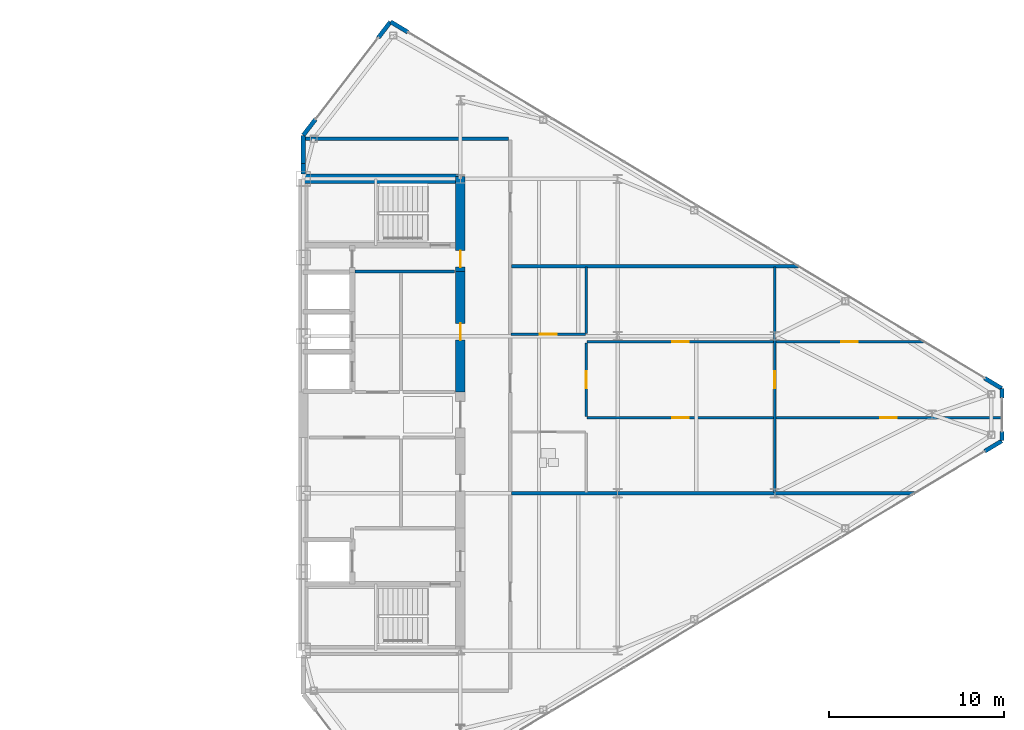
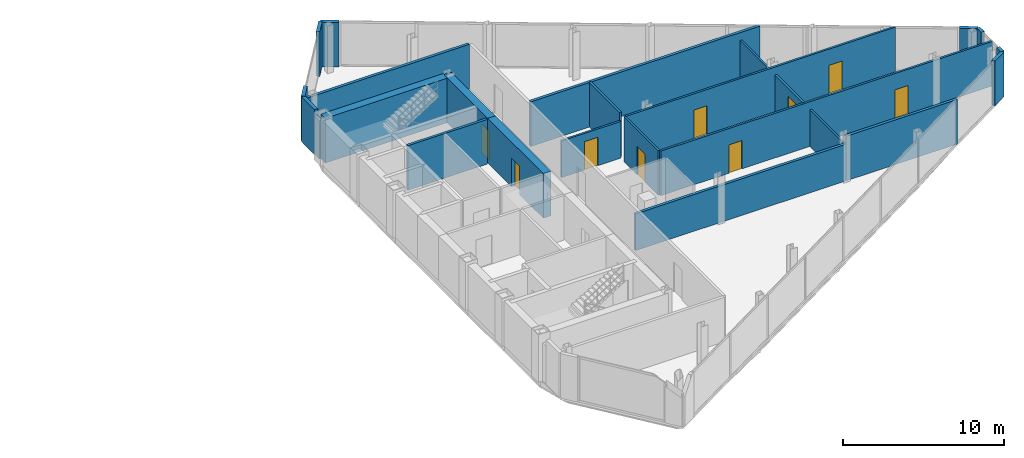
# One storey, part 22 of 25: 23 walls, 9 doors, 9 openings.
"""IFC4 building model written with IfcOpenShell, lengths in metres."""

import ifcopenshell
import ifcopenshell.guid

model = None  # the IFC model being written
_history = None  # IfcOwnerHistory: only IFC2X3 demands one
_inside = {}  # id of a spatial element -> (the spatial element, [elements in it])
_under = {}  # id of a project, library or spatial element -> (it, [spatial elements below it])
_declared = {}  # id of a project -> (the project, [libraries it declares])
_typed = {}  # id of a type object -> (the type object, [elements of that type])
_made_of = {}  # id of a material, layer set ... -> (it, [elements and type objects made of it])


def new_model(schema):
    """Start an empty IFC model of exactly this schema.

    Asked for "IFC4X3", IfcOpenShell would pick the latest addendum, in which some entities
    have other attributes; the version numbers below select the first issue.
    IFC2X3 requires an IfcOwnerHistory on every rooted entity: one is made here for all.
    """
    global model, _history
    if schema == "IFC4X3":
        model = ifcopenshell.file(schema_version=(4, 3, 0, 0))
    else:
        model = ifcopenshell.file(schema=schema)
    _inside.clear()
    _under.clear()
    _declared.clear()
    _typed.clear()
    _made_of.clear()
    _history = None
    if model.schema == "IFC2X3":
        org = make("IfcOrganization", Name="unknown")
        user = make(
            "IfcPersonAndOrganization",
            ThePerson=make("IfcPerson", FamilyName="unknown"),
            TheOrganization=org,
        )
        app = make(
            "IfcApplication",
            ApplicationDeveloper=org,
            Version="unknown",
            ApplicationFullName="unknown",
            ApplicationIdentifier="unknown",
        )
        _history = make(
            "IfcOwnerHistory",
            OwningUser=user,
            OwningApplication=app,
            ChangeAction="ADDED",
            CreationDate=0,
        )
    return model


def make(cls, **values):
    """One entity of the class cls with the attributes given. An attribute that is None is left unset."""
    return model.create_entity(
        cls, **{name: value for name, value in values.items() if value is not None}
    )


def rooted(cls, **values):
    """An entity with a GlobalId (a new one), such as an element, a storey or a relation."""
    return make(cls, GlobalId=ifcopenshell.guid.new(), OwnerHistory=_history, **values)


def si_unit(unit_type, name, prefix=None):
    """IfcSIUnit, for example si_unit("LENGTHUNIT", "METRE", prefix="MILLI")."""
    return make("IfcSIUnit", UnitType=unit_type, Prefix=prefix, Name=name)


def assignment(units):
    """IfcUnitAssignment: the units of a project."""
    return None if units is None else make("IfcUnitAssignment", Units=units)


def point(xyz):
    """IfcCartesianPoint."""
    return None if xyz is None else make("IfcCartesianPoint", Coordinates=xyz)


def direction(xyz):
    """IfcDirection."""
    return None if xyz is None else make("IfcDirection", DirectionRatios=xyz)


def frame(location, z_axis=None, x_axis=None):
    """IfcAxis2Placement3D, a coordinate frame: its origin and axes. An axis left out is left unset."""
    return make(
        "IfcAxis2Placement3D",
        Location=point(location),
        Axis=direction(z_axis),
        RefDirection=direction(x_axis),
    )


def frame_2d(location, x_axis=None):
    """IfcAxis2Placement2D, a coordinate frame in the plane: its origin and x axis."""
    return make(
        "IfcAxis2Placement2D", Location=point(location), RefDirection=direction(x_axis)
    )


def origin():
    """The frame at (0, 0, 0) with its axes left unset."""
    return frame((0.0, 0.0, 0.0))


def place(relative_to, where):
    """IfcLocalPlacement: puts the frame where relative to a parent placement (None: the world)."""
    return make(
        "IfcLocalPlacement", PlacementRelTo=relative_to, RelativePlacement=where
    )


def context(
    kind, dimensions, precision=None, world=None, true_north=None, identifier=None
):
    """IfcGeometricRepresentationContext, for example the 3D "Model" context."""
    return make(
        "IfcGeometricRepresentationContext",
        ContextIdentifier=identifier,
        ContextType=kind,
        CoordinateSpaceDimension=dimensions,
        Precision=precision,
        WorldCoordinateSystem=world,
        TrueNorth=true_north,
    )


def subcontext(parent, identifier, kind, view, scale=None):
    """IfcGeometricRepresentationSubContext, for example "Body" below "Model"."""
    return make(
        "IfcGeometricRepresentationSubContext",
        ContextIdentifier=identifier,
        ContextType=kind,
        ParentContext=parent,
        TargetScale=scale,
        TargetView=view,
    )


def project(units=None, contexts=None):
    """IfcProject with its units and contexts."""
    return rooted(
        "IfcProject",
        Name="project",
        RepresentationContexts=contexts,
        UnitsInContext=assignment(units),
    )


def spatial(cls, under=None, at=None, **own):
    """A site, building, storey or space (cls), placed at a placement, below another one or the project."""
    s = rooted(cls, ObjectPlacement=at, **own)
    if under is not None:
        _under.setdefault(under.id(), (under, []))[1].append(s)
    return s


def profile(cls, at=None, kind="AREA", **sizes):
    """A parametric profile (cls). Its sizes go by their IFC names, for example OverallWidth=200.0."""
    return make(cls, ProfileType=kind, Position=at, **sizes)


def rectangle(**sizes):
    """IfcRectangleProfileDef."""
    return profile("IfcRectangleProfileDef", **sizes)


def extrude(swept, where, along, depth):
    """IfcExtrudedAreaSolid: the profile swept, set in the frame where, extruded along a direction by depth."""
    return make(
        "IfcExtrudedAreaSolid",
        SweptArea=swept,
        Position=where,
        ExtrudedDirection=direction(along),
        Depth=depth,
    )


def shape(context_of_items, identifier, shape_type, items):
    """IfcShapeRepresentation: the items that make up one representation, for example the "Body"."""
    return make(
        "IfcShapeRepresentation",
        ContextOfItems=context_of_items,
        RepresentationIdentifier=identifier,
        RepresentationType=shape_type,
        Items=items,
    )


def source(mapping_origin, context_of_items, identifier, shape_type, items):
    """IfcRepresentationMap: a shape defined once, which mapped items show again and again."""
    return make(
        "IfcRepresentationMap",
        MappingOrigin=mapping_origin,
        MappedRepresentation=shape(context_of_items, identifier, shape_type, items),
    )


def transform(
    local_origin,
    x_axis=None,
    y_axis=None,
    z_axis=None,
    scale=None,
    scale2=None,
    scale3=None,
    uniform=True,
):
    """IfcCartesianTransformationOperator3D, or its non-uniform kind. x_axis, y_axis, z_axis: its Axis1, 2, 3."""
    if uniform:
        return make(
            "IfcCartesianTransformationOperator3D",
            Axis1=direction(x_axis),
            Axis2=direction(y_axis),
            LocalOrigin=point(local_origin),
            Scale=scale,
            Axis3=direction(z_axis),
        )
    return make(
        "IfcCartesianTransformationOperator3DnonUniform",
        Axis1=direction(x_axis),
        Axis2=direction(y_axis),
        LocalOrigin=point(local_origin),
        Scale=scale,
        Axis3=direction(z_axis),
        Scale2=scale2,
        Scale3=scale3,
    )


def mapped(mapping_source, mapping_target):
    """IfcMappedItem: shows the shape of a source again, moved by a transform."""
    return make(
        "IfcMappedItem", MappingSource=mapping_source, MappingTarget=mapping_target
    )


def material(Name=None, Category=None):
    """IfcMaterial."""
    return make("IfcMaterial", Name=Name, Category=Category)


def layer(
    of_material, thickness, ventilated=None, Name=None, Category=None, Priority=None
):
    """IfcMaterialLayer: one layer of a wall or slab, of a material (None: an air gap)."""
    return make(
        "IfcMaterialLayer",
        Material=of_material,
        LayerThickness=thickness,
        IsVentilated=ventilated,
        Name=Name,
        Category=Category,
        Priority=Priority,
    )


def layer_set(layers, Name=None):
    """IfcMaterialLayerSet."""
    return make("IfcMaterialLayerSet", MaterialLayers=layers, LayerSetName=Name)


def made_of(thing, what):
    """Note that an element or type object is made of a material, layer set ...; save() writes the relation."""
    if what is not None:
        _made_of.setdefault(what.id(), (what, []))[1].append(thing)
    return thing


def type_object(cls, material=None, **own):
    """A type object (cls), such as IfcWallType, which elements share."""
    return made_of(rooted(cls, **own), material)


def type_shapes(of_type, sources):
    """Give a type object the sources (RepresentationMaps) that its elements show as mapped items."""
    of_type.RepresentationMaps = sources


def element(
    cls,
    number,
    at=None,
    inside=None,
    cuts=None,
    type_object=None,
    material=None,
    context=None,
    identifier="Body",
    shape_type=None,
    held_by="IfcProductDefinitionShape",
    body=None,
    shapes=None,
    **own,
):
    """One element of the class cls, such as IfcWall. Its Tag is "e" and its number.

    at: its placement. inside: the storey or other place that contains it. cuts: it is an
    opening in that element (IfcRelVoidsElement). A single representation is given by context,
    identifier, shape_type and body (its items); several are given by shapes. held_by: the class
    of the entity that holds the representations. save() writes the other relations.
    """
    e = rooted(cls, Tag="e%d" % number, ObjectPlacement=at, **own)
    if body is not None:
        shapes = [shape(context, identifier, shape_type, body)]
    if shapes is not None:
        e.Representation = make(held_by, Representations=shapes)
    if inside is not None:
        _inside.setdefault(inside.id(), (inside, []))[1].append(e)
    if cuts is not None:
        rooted(
            "IfcRelVoidsElement", RelatingBuildingElement=cuts, RelatedOpeningElement=e
        )
    if type_object is not None:
        _typed.setdefault(type_object.id(), (type_object, []))[1].append(e)
    return made_of(e, material)


def fill(opening, filler):
    """IfcRelFillsElement: the door or window that sits in an opening."""
    return rooted(
        "IfcRelFillsElement",
        RelatingOpeningElement=opening,
        RelatedBuildingElement=filler,
    )


def aggregate(whole, parts):
    """IfcRelAggregates: a whole, such as a stair, and the parts it consists of."""
    return rooted("IfcRelAggregates", RelatingObject=whole, RelatedObjects=parts)


def save(model, path):
    """Write the relations noted so far, then the file.

    IfcRelAggregates (storeys below a building ...), IfcRelContainedInSpatialStructure (elements
    in a storey), IfcRelDefinesByType, IfcRelAssociatesMaterial and IfcRelDeclares: one each for
    every whole, place, type object, material and project.
    """
    for whole, parts in _under.values():
        aggregate(whole, parts)
    for where, things in _inside.values():
        rooted(
            "IfcRelContainedInSpatialStructure",
            RelatedElements=things,
            RelatingStructure=where,
        )
    for kind, things in _typed.values():
        rooted("IfcRelDefinesByType", RelatedObjects=things, RelatingType=kind)
    for what, things in _made_of.values():
        rooted("IfcRelAssociatesMaterial", RelatedObjects=things, RelatingMaterial=what)
    for by, libraries in _declared.values():
        rooted("IfcRelDeclares", RelatingContext=by, RelatedDefinitions=libraries)
    model.write(path)


model = new_model("IFC4")

# Units and contexts
model_context = context("Model", 3, precision=1e-05, world=origin(), true_north=direction((0.0, 1.0)))
body_context = subcontext(model_context, "Body", "Model", "MODEL_VIEW")
ifc_project = project(units=[si_unit("LENGTHUNIT", "METRE"), si_unit("AREAUNIT", "SQUARE_METRE"), si_unit("VOLUMEUNIT", "CUBIC_METRE"), si_unit("PLANEANGLEUNIT", "RADIAN"), si_unit("MASSUNIT", "GRAM", prefix="KILO")], contexts=[model_context])

# Site, building, storey
site_placement = place(None, origin())
site = spatial("IfcSite", under=ifc_project, at=site_placement, CompositionType="ELEMENT")
building_placement = place(site_placement, origin())
building = spatial("IfcBuilding", under=site, at=building_placement, Name="Seokmaru Belvedere", CompositionType="ELEMENT")
storey_placement = place(building_placement, frame((0.0, 0.0, 203.10009765625)))
storey = spatial("IfcBuildingStorey", under=building, at=storey_placement, Name="L54", CompositionType="ELEMENT", Elevation=203.10009765625)

# Wall, openings, doors
ifc_material_1 = material(Name="Fire-Rated Gypsum Shaftwall")
ifc_layer_1 = layer(ifc_material_1, 0.14990234375)
ifc_layer_set_1 = layer_set([ifc_layer_1], Name="Fire-Rated Gypsum Shaftwall")
wall_type_1 = type_object("IfcWallType", Name="Apartment Fire-Acoustic Room Partition 150", PredefinedType="PARTITIONING", material=ifc_layer_set_1)
wall_1_placement = place(storey_placement, frame((43.75, -0.169921875, 0.0), z_axis=(0.0, 0.0, 1.0), x_axis=(1.0, 0.0, 0.0)))
wall_1 = element("IfcWall", 1, at=wall_1_placement, inside=storey, type_object=wall_type_1, Name="L54 Interior Partition 009", PredefinedType="PARTITIONING", context=body_context, shape_type="SweptSolid", body=[
    extrude(rectangle(XDim=23.784912109375, YDim=0.14990234375, at=frame_2d((11.892578125, 0.0))), origin(), (0.0, 0.0, 1.0), 3.3798828125),
])
opening_1_placement = place(wall_1_placement, frame((4.875, 0.0, 0.0)))
opening_1 = element("IfcOpeningElement", 2, at=opening_1_placement, cuts=wall_1, Name="Opening D05", PredefinedType="OPENING", context=body_context, shape_type="SweptSolid", body=[
    extrude(rectangle(XDim=0.949951171875, YDim=2.14990234375, at=frame_2d((0.47509765625, 1.074951171875))), frame((0.0, 0.0849609375, 0.0), z_axis=(0.0, -1.0, 0.0), x_axis=(1.0, 0.0, 0.0)), (0.0, 0.0, 1.0), 0.169921875),
])
opening_2_placement = place(wall_1_placement, frame((16.77490234375, 0.0, 0.0)))
opening_2 = element("IfcOpeningElement", 3, at=opening_2_placement, cuts=wall_1, Name="Opening D05", PredefinedType="OPENING", context=body_context, shape_type="SweptSolid", body=[
    extrude(rectangle(XDim=0.949951171875, YDim=2.14990234375, at=frame_2d((0.47509765625, 1.074951171875))), frame((0.0, 0.0849609375, 0.0), z_axis=(0.0, -1.0, 0.0), x_axis=(1.0, 0.0, 0.0)), (0.0, 0.0, 1.0), 0.169921875),
])
ifc_material_2 = material(Name="Engineered White Oak Timber", Category="wood")
door_type_1 = type_object("IfcDoorType", Name="Apartment Interior Fire-Rated Oak Door 950x2150", OperationType="NOTDEFINED", PredefinedType="DOOR", material=ifc_material_2)
shared_shape_1 = source(origin(), body_context, "Body", "SweptSolid", [
    extrude(rectangle(XDim=0.949951171875, YDim=2.14990234375, at=frame_2d((0.47509765625, 1.074951171875))), frame((0.0, 0.02490234375, 0.0), z_axis=(0.0, -1.0, 0.0), x_axis=(1.0, 0.0, 0.0)), (0.0, 0.0, 1.0), 0.050048828125),
])
type_shapes(door_type_1, [shared_shape_1])
door_1_placement = place(opening_1_placement, origin())
door_1 = element("IfcDoor", 4, at=door_1_placement, inside=storey, type_object=door_type_1, Name="L54 Interior Door 015", OperationType="SINGLE_SWING_RIGHT", OverallHeight=2.14990234375, OverallWidth=0.949951171875, PredefinedType="DOOR", context=body_context, shape_type="MappedRepresentation", body=[
    mapped(shared_shape_1, transform((0.0, 0.0, 0.0), scale=1.0)),
])
fill(opening_1, door_1)
door_2_placement = place(opening_2_placement, origin())
door_2 = element("IfcDoor", 5, at=door_2_placement, inside=storey, type_object=door_type_1, Name="L54 Interior Door 017", OperationType="SINGLE_SWING_LEFT", OverallHeight=2.14990234375, OverallWidth=0.949951171875, PredefinedType="DOOR", context=body_context, shape_type="MappedRepresentation", body=[
    mapped(shared_shape_1, transform((0.0, 0.0, 0.0), scale=1.0)),
])
fill(opening_2, door_2)

wall_2_placement = place(storey_placement, frame((43.75, 4.169921875, 0.0), z_axis=(0.0, 0.0, 1.0), x_axis=(1.0, 0.0, 0.0)))
wall_2 = element("IfcWall", 6, at=wall_2_placement, inside=storey, type_object=wall_type_1, Name="L54 Interior Partition 010", PredefinedType="PARTITIONING", context=body_context, shape_type="SweptSolid", body=[
    extrude(rectangle(XDim=19.340087890625, YDim=0.14990234375, at=frame_2d((9.669921875, 0.0))), origin(), (0.0, 0.0, 1.0), 3.3798828125),
])
opening_3_placement = place(wall_2_placement, frame((4.875, 0.0, 0.0)))
opening_3 = element("IfcOpeningElement", 7, at=opening_3_placement, cuts=wall_2, Name="Opening D05", PredefinedType="OPENING", context=body_context, shape_type="SweptSolid", body=[
    extrude(rectangle(XDim=0.949951171875, YDim=2.14990234375, at=frame_2d((0.47509765625, 1.074951171875))), frame((0.0, 0.0849609375, 0.0), z_axis=(0.0, -1.0, 0.0), x_axis=(1.0, 0.0, 0.0)), (0.0, 0.0, 1.0), 0.169921875),
])
opening_4_placement = place(wall_2_placement, frame((14.552734375, 0.0, 0.0)))
opening_4 = element("IfcOpeningElement", 8, at=opening_4_placement, cuts=wall_2, Name="Opening D05", PredefinedType="OPENING", context=body_context, shape_type="SweptSolid", body=[
    extrude(rectangle(XDim=0.949951171875, YDim=2.14990234375, at=frame_2d((0.47509765625, 1.074951171875))), frame((0.0, 0.0849609375, 0.0), z_axis=(0.0, -1.0, 0.0), x_axis=(1.0, 0.0, 0.0)), (0.0, 0.0, 1.0), 0.169921875),
])
door_3_placement = place(opening_3_placement, origin())
door_3 = element("IfcDoor", 9, at=door_3_placement, inside=storey, type_object=door_type_1, Name="L54 Interior Door 016", OperationType="SINGLE_SWING_LEFT", OverallHeight=2.14990234375, OverallWidth=0.949951171875, PredefinedType="DOOR", context=body_context, shape_type="MappedRepresentation", body=[
    mapped(shared_shape_1, transform((0.0, 0.0, 0.0), scale=1.0)),
])
fill(opening_3, door_3)
door_4_placement = place(opening_4_placement, origin())
door_4 = element("IfcDoor", 10, at=door_4_placement, inside=storey, type_object=door_type_1, Name="L54 Interior Door 018", OperationType="SINGLE_SWING_LEFT", OverallHeight=2.14990234375, OverallWidth=0.949951171875, PredefinedType="DOOR", context=body_context, shape_type="MappedRepresentation", body=[
    mapped(shared_shape_1, transform((0.0, 0.0, 0.0), scale=1.0)),
])
fill(opening_4, door_4)

# Wall, opening, door
wall_3_placement = place(storey_placement, frame((39.39990234375, 4.60009765625, 0.0), z_axis=(0.0, 0.0, 1.0), x_axis=(1.0, 0.0, 0.0)))
wall_3 = element("IfcWall", 11, at=wall_3_placement, inside=storey, type_object=wall_type_1, Name="L54 Interior Partition 012", PredefinedType="PARTITIONING", context=body_context, shape_type="SweptSolid", body=[
    extrude(rectangle(XDim=4.25, YDim=0.14990234375, at=frame_2d((2.125, 0.0))), origin(), (0.0, 0.0, 1.0), 2.77978515625),
])
opening_5_placement = place(wall_3_placement, frame((1.64990234375, 0.0, 0.0)))
opening_5 = element("IfcOpeningElement", 12, at=opening_5_placement, cuts=wall_3, Name="Opening D05", PredefinedType="OPENING", context=body_context, shape_type="SweptSolid", body=[
    extrude(rectangle(XDim=0.949951171875, YDim=2.14990234375, at=frame_2d((0.47509765625, 1.074951171875))), frame((0.0, 0.0849609375, 0.0), z_axis=(0.0, -1.0, 0.0), x_axis=(1.0, 0.0, 0.0)), (0.0, 0.0, 1.0), 0.169921875),
])
door_5_placement = place(opening_5_placement, origin())
door_5 = element("IfcDoor", 13, at=door_5_placement, inside=storey, type_object=door_type_1, Name="L54 Interior Door 012", OperationType="SINGLE_SWING_RIGHT", OverallHeight=2.14990234375, OverallWidth=0.949951171875, PredefinedType="DOOR", context=body_context, shape_type="MappedRepresentation", body=[
    mapped(shared_shape_1, transform((0.0, 0.0, 0.0), scale=1.0)),
])
fill(opening_5, door_5)

wall_4_placement = place(storey_placement, frame((43.699951171875, -0.116943359375, 0.0), z_axis=(0.0, 0.0, 1.0), x_axis=(0.0, 1.0, 0.0)))
wall_4 = element("IfcWall", 14, at=wall_4_placement, inside=storey, type_object=wall_type_1, Name="L54 Interior Partition 021", PredefinedType="PARTITIONING", context=body_context, shape_type="SweptSolid", body=[
    extrude(rectangle(XDim=4.23388671875, YDim=0.14990234375, at=frame_2d((2.116943359375, 0.0))), origin(), (0.0, 0.0, 1.0), 3.3798828125),
])
opening_6_placement = place(wall_4_placement, frame((1.64208984375, 0.0, 0.0)))
opening_6 = element("IfcOpeningElement", 15, at=opening_6_placement, cuts=wall_4, Name="Opening D05", PredefinedType="OPENING", context=body_context, shape_type="SweptSolid", body=[
    extrude(rectangle(XDim=0.949951171875, YDim=2.14990234375, at=frame_2d((0.47509765625, 1.074951171875))), frame((0.0, 0.0849609375, 0.0), z_axis=(0.0, -1.0, 0.0), x_axis=(1.0, 0.0, 0.0)), (0.0, 0.0, 1.0), 0.169921875),
])
door_6_placement = place(opening_6_placement, origin())
door_6 = element("IfcDoor", 16, at=door_6_placement, inside=storey, type_object=door_type_1, Name="L54 Interior Door 013", OperationType="SINGLE_SWING_LEFT", OverallHeight=2.14990234375, OverallWidth=0.949951171875, PredefinedType="DOOR", context=body_context, shape_type="MappedRepresentation", body=[
    mapped(shared_shape_1, transform((0.0, 0.0, 0.0), scale=1.0)),
])
fill(opening_6, door_6)

# Wall
wall_5_placement = place(storey_placement, frame((43.699951171875, 4.652099609375, 0.0), z_axis=(0.0, 0.0, 1.0), x_axis=(0.0, 1.0, 0.0)))
element("IfcWall", 17, at=wall_5_placement, inside=storey, type_object=wall_type_1, Name="L54 Interior Partition 022", PredefinedType="PARTITIONING", context=body_context, shape_type="SweptSolid", body=[
    extrude(rectangle(XDim=3.7978515625, YDim=0.14990234375, at=frame_2d((1.89892578125, 0.0))), origin(), (0.0, 0.0, 1.0), 3.3798828125),
])

# Wall, opening, door
wall_6_placement = place(storey_placement, frame((54.5, -4.449951171875, 0.0), z_axis=(0.0, 0.0, 1.0), x_axis=(0.0, 1.0, 0.0)))
wall_6 = element("IfcWall", 18, at=wall_6_placement, inside=storey, type_object=wall_type_1, Name="L54 Interior Partition 023", PredefinedType="PARTITIONING", context=body_context, shape_type="SweptSolid", body=[
    extrude(rectangle(XDim=12.89990234375, YDim=0.14990234375, at=frame_2d((6.449951171875, 0.0))), origin(), (0.0, 0.0, 1.0), 2.77978515625),
])
opening_7_placement = place(wall_6_placement, frame((5.97509765625, 0.0, 0.0)))
opening_7 = element("IfcOpeningElement", 19, at=opening_7_placement, cuts=wall_6, Name="Opening D05", PredefinedType="OPENING", context=body_context, shape_type="SweptSolid", body=[
    extrude(rectangle(XDim=0.949951171875, YDim=2.14990234375, at=frame_2d((0.47509765625, 1.074951171875))), frame((0.0, 0.0849609375, 0.0), z_axis=(0.0, -1.0, 0.0), x_axis=(1.0, 0.0, 0.0)), (0.0, 0.0, 1.0), 0.169921875),
])
door_7_placement = place(opening_7_placement, origin())
door_7 = element("IfcDoor", 20, at=door_7_placement, inside=storey, type_object=door_type_1, Name="L54 Interior Door 014", OperationType="SINGLE_SWING_RIGHT", OverallHeight=2.14990234375, OverallWidth=0.949951171875, PredefinedType="DOOR", context=body_context, shape_type="MappedRepresentation", body=[
    mapped(shared_shape_1, transform((0.0, 0.0, 0.0), scale=1.0)),
])
fill(opening_7, door_7)

# Walls
ifc_layer_2 = layer(ifc_material_1, 0.179931640625)
ifc_layer_set_2 = layer_set([ifc_layer_2], Name="Fire-Rated Gypsum Shaftwall")
wall_type_2 = type_object("IfcWallType", Name="Core Service Fire Partition 180", PredefinedType="PARTITIONING", material=ifc_layer_set_2)
wall_7_placement = place(storey_placement, frame((30.449951171875, 8.199951171875, 0.0), z_axis=(0.0, 0.0, 1.0), x_axis=(1.0, 0.0, 0.0)))
element("IfcWall", 21, at=wall_7_placement, inside=storey, type_object=wall_type_2, Name="L54 East Smokeproof Vestibule Partition", PredefinedType="PARTITIONING", context=body_context, shape_type="SweptSolid", body=[
    extrude(rectangle(XDim=5.699951171875, YDim=0.179931640625, at=frame_2d((2.85009765625, 0.0))), origin(), (0.0, 0.0, 1.0), 3.3798828125),
])
ifc_layer_3 = layer(ifc_material_1, 0.199951171875)
ifc_layer_set_3 = layer_set([ifc_layer_3], Name="Fire-Rated Gypsum Shaftwall")
wall_type_3 = type_object("IfcWallType", Name="Inter-Tenancy Fire Compartment Partition 200", PredefinedType="PARTITIONING", material=ifc_layer_set_3)
wall_8_placement = place(storey_placement, frame((39.429931640625, -4.5, 0.0), z_axis=(0.0, 0.0, 1.0), x_axis=(1.0, 0.0, 0.0)))
element("IfcWall", 22, at=wall_8_placement, inside=storey, type_object=wall_type_3, Name="L54 Interior Partition 007", PredefinedType="PARTITIONING", context=body_context, shape_type="SweptSolid", body=[
    extrude(rectangle(XDim=15.090087890625, YDim=0.199951171875, at=frame_2d((7.544921875, 0.0))), origin(), (0.0, 0.0, 1.0), 2.77978515625),
])
wall_9_placement = place(storey_placement, frame((54.52001953125, -4.5, 0.0), z_axis=(0.0, 0.0, 1.0), x_axis=(1.0, 0.0, 0.0)))
element("IfcWall", 23, at=wall_9_placement, inside=storey, type_object=wall_type_3, Name="L54 Interior Partition 007 Part 2", PredefinedType="PARTITIONING", context=body_context, shape_type="SweptSolid", body=[
    extrude(rectangle(XDim=7.989990234375, YDim=0.199951171875, at=frame_2d((3.9951171875, 0.0))), origin(), (0.0, 0.0, 1.0), 3.3798828125),
])
wall_10_placement = place(storey_placement, frame((39.429931640625, 8.5, 0.0), z_axis=(0.0, 0.0, 1.0), x_axis=(1.0, 0.0, 0.0)))
element("IfcWall", 24, at=wall_10_placement, inside=storey, type_object=wall_type_3, Name="L54 Interior Partition 013", PredefinedType="PARTITIONING", context=body_context, shape_type="SweptSolid", body=[
    extrude(rectangle(XDim=16.4130859375, YDim=0.199951171875, at=frame_2d((8.20654296875, 0.0))), origin(), (0.0, 0.0, 1.0), 3.3798828125),
])
wall_11_placement = place(storey_placement, frame((27.625, 15.800048828125, 0.0), z_axis=(0.0, 0.0, 1.0), x_axis=(1.0, 0.0, 0.0)))
element("IfcWall", 25, at=wall_11_placement, inside=storey, type_object=wall_type_3, Name="L54 Interior Partition 015", PredefinedType="PARTITIONING", context=body_context, shape_type="SweptSolid", body=[
    extrude(rectangle(XDim=11.639892578125, YDim=0.199951171875, at=frame_2d((5.81982421875, 0.0))), origin(), (0.0, 0.0, 1.0), 3.3798828125),
])
ifc_material_3 = material(Name="Concrete C50 (50 MPa)", Category="concrete")
ifc_layer_4 = layer(ifc_material_3, 0.550048828125)
ifc_layer_set_4 = layer_set([ifc_layer_4], Name="Concrete C50 (50 MPa)")
wall_type_4 = type_object("IfcWallType", Name="Mid-High Reinforced Concrete Core Wall 550", PredefinedType="SHEAR", material=ifc_layer_set_4)
wall_12_placement = place(storey_placement, frame((27.5, 13.5, 0.0), z_axis=(0.0, 0.0, 1.0), x_axis=(1.0, 0.0, 0.0)))
element("IfcWall", 26, at=wall_12_placement, inside=storey, type_object=wall_type_4, Name="L54 East North Core Wall", PredefinedType="SHEAR", context=body_context, shape_type="SweptSolid", body=[
    extrude(rectangle(XDim=9.0, YDim=0.550048828125, at=frame_2d((4.5, 0.0))), origin(), (0.0, 0.0, 1.0), 3.3798828125),
])

# Wall, opening, door
wall_13_placement = place(storey_placement, frame((36.5, 8.199951171875, 0.0), z_axis=(0.0, 0.0, 1.0), x_axis=(0.0, 1.0, 0.0)))
wall_13 = element("IfcWall", 27, at=wall_13_placement, inside=storey, type_object=wall_type_4, Name="L54 East West Core Wall VST", PredefinedType="SHEAR", context=body_context, shape_type="SweptSolid", body=[
    extrude(rectangle(XDim=5.449951171875, YDim=0.550048828125, at=frame_2d((2.72509765625, 0.0))), origin(), (0.0, 0.0, 1.0), 3.3798828125),
])
opening_8_placement = place(wall_13_placement, frame((0.2451171875, 0.0, 0.0)))
opening_8 = element("IfcOpeningElement", 28, at=opening_8_placement, cuts=wall_13, Name="Opening D04", PredefinedType="OPENING", context=body_context, shape_type="SweptSolid", body=[
    extrude(rectangle(XDim=0.949951171875, YDim=2.14990234375, at=frame_2d((0.47509765625, 1.074951171875))), frame((0.0, 0.28515625, 0.0), z_axis=(0.0, -1.0, 0.0), x_axis=(1.0, 0.0, 0.0)), (0.0, 0.0, 1.0), 0.570068359375),
])
ifc_material_4 = material(Name="Fire-Rated Steel Leaf", Category="steel")
door_type_2 = type_object("IfcDoorType", Name="Core Service Room Fire Door 950x2150", OperationType="NOTDEFINED", PredefinedType="DOOR", material=ifc_material_4)
shared_shape_2 = source(origin(), body_context, "Body", "SweptSolid", [
    extrude(rectangle(XDim=0.949951171875, YDim=2.14990234375, at=frame_2d((0.47509765625, 1.074951171875))), frame((0.0, 0.02490234375, 0.0), z_axis=(0.0, -1.0, 0.0), x_axis=(1.0, 0.0, 0.0)), (0.0, 0.0, 1.0), 0.050048828125),
])
type_shapes(door_type_2, [shared_shape_2])
door_8_placement = place(opening_8_placement, origin())
door_8 = element("IfcDoor", 29, at=door_8_placement, inside=storey, type_object=door_type_2, Name="L54 East Smokeproof Vestibule Door", OperationType="SINGLE_SWING_LEFT", OverallHeight=2.14990234375, OverallWidth=0.949951171875, PredefinedType="DOOR", context=body_context, shape_type="MappedRepresentation", body=[
    mapped(shared_shape_2, transform((0.0, 0.0, 0.0), scale=1.0)),
])
fill(opening_8, door_8)

wall_14_placement = place(storey_placement, frame((36.5, 1.300048828125, 0.0), z_axis=(0.0, 0.0, 1.0), x_axis=(0.0, 1.0, 0.0)))
wall_14 = element("IfcWall", 30, at=wall_14_placement, inside=storey, type_object=wall_type_4, Name="L54 East West Core Wall CS2", PredefinedType="SHEAR", context=body_context, shape_type="SweptSolid", body=[
    extrude(rectangle(XDim=6.89990234375, YDim=0.550048828125, at=frame_2d((3.449951171875, 0.0))), origin(), (0.0, 0.0, 1.0), 3.3798828125),
])
opening_9_placement = place(wall_14_placement, frame((2.97509765625, 0.0, 0.0)))
opening_9 = element("IfcOpeningElement", 31, at=opening_9_placement, cuts=wall_14, Name="Opening D04", PredefinedType="OPENING", context=body_context, shape_type="SweptSolid", body=[
    extrude(rectangle(XDim=0.949951171875, YDim=2.14990234375, at=frame_2d((0.47509765625, 1.074951171875))), frame((0.0, 0.28515625, 0.0), z_axis=(0.0, -1.0, 0.0), x_axis=(1.0, 0.0, 0.0)), (0.0, 0.0, 1.0), 0.570068359375),
])
door_9_placement = place(opening_9_placement, origin())
door_9 = element("IfcDoor", 32, at=door_9_placement, inside=storey, type_object=door_type_2, Name="L54 East Core Service Room Door 2", OperationType="SINGLE_SWING_LEFT", OverallHeight=2.14990234375, OverallWidth=0.949951171875, PredefinedType="DOOR", context=body_context, shape_type="MappedRepresentation", body=[
    mapped(shared_shape_2, transform((0.0, 0.0, 0.0), scale=1.0)),
])
fill(opening_9, door_9)

# Walls
ifc_material_5 = material(Name="Anodised Bronze Aluminium", Category="aluminium")
ifc_layer_5 = layer(ifc_material_5, 0.239990234375)
ifc_layer_set_5 = layer_set([ifc_layer_5], Name="Anodised Bronze Aluminium")
wall_type_5 = type_object("IfcWallType", Name="Tower Corner Spandrel Closure Wall 240", PredefinedType="SOLIDWALL", material=ifc_layer_set_5)
wall_15_placement = place(storey_placement, frame((66.513916015625, -2.091796875, 0.0), z_axis=(0.0, 0.0, 1.0), x_axis=(0.85743623509, 0.514590228002, 0.0)))
element("IfcWall", 33, at=wall_15_placement, inside=storey, type_object=wall_type_5, Name="L54 E Corner Closure Pier 1B", PredefinedType="SOLIDWALL", context=body_context, shape_type="SweptSolid", body=[
    extrude(rectangle(XDim=1.14013671875, YDim=0.239990234375, at=frame_2d((0.570068359375, 0.0))), origin(), (0.0, 0.0, 1.0), 3.3798828125),
])
for number, where, z_axis, x_axis, name in (
    (34, (67.5, -1.489990234375, 0.0), (0.0, 0.0, 1.0), (0.0, 1.0, 0.0), "L54 E Apex Closure Pier 2A"),
    (35, (67.5, 0.949951171875, 0.0), (0.0, 0.0, 1.0), (0.0, 1.0, 0.0), "L54 E Apex Closure Pier 2B"),
):
    element("IfcWall", number, at=place(storey_placement, frame(where, z_axis=z_axis, x_axis=x_axis)), inside=storey, type_object=wall_type_5, Name=name, PredefinedType="SOLIDWALL", context=body_context, shape_type="SweptSolid", body=[
        extrude(rectangle(XDim=0.5400390625, YDim=0.239990234375, at=frame_2d((0.27001953125, 0.0))), origin(), (0.0, 0.0, 1.0), 3.3798828125),
    ])
for number, where, z_axis, x_axis, name in (
    (36, (67.491455078125, 1.505126953125, 0.0), (0.0, 0.0, 1.0), (-0.85743623509, 0.514590228002, 0.0), "L54 E Corner Closure Pier 3A"),
    (37, (33.486083984375, 21.908203125, 0.0), (0.0, 0.0, 1.0), (-0.85743623509, 0.514590228002, 0.0), "L54 E Corner Closure Pier 3B"),
    (38, (32.493896484375, 22.4921875, 0.0), (0.0, 0.0, 1.0), (-0.609617623633, -0.792695624408, 0.0), "L54 E Corner Closure Pier 4A"),
    (39, (28.201171875, 16.91162109375, 0.0), (0.0, 0.0, 1.0), (-0.609617623633, -0.792695624408, 0.0), "L54 E Corner Closure Pier 4B"),
):
    element("IfcWall", number, at=place(storey_placement, frame(where, z_axis=z_axis, x_axis=x_axis)), inside=storey, type_object=wall_type_5, Name=name, PredefinedType="SOLIDWALL", context=body_context, shape_type="SweptSolid", body=[
        extrude(rectangle(XDim=1.14013671875, YDim=0.239990234375, at=frame_2d((0.570068359375, 0.0))), origin(), (0.0, 0.0, 1.0), 3.3798828125),
    ])
wall_16_placement = place(storey_placement, frame((27.5, 13.780029296875, 0.0), z_axis=(0.0, 0.0, 1.0), x_axis=(0.0, 1.0, 0.0)))
element("IfcWall", 40, at=wall_16_placement, inside=storey, type_object=wall_type_5, Name="L54 E Shoulder Closure Wall 2", PredefinedType="SOLIDWALL", context=body_context, shape_type="SweptSolid", body=[
    extrude(rectangle(XDim=0.599853515625, YDim=0.239990234375, at=frame_2d((0.2998046875, 0.0))), origin(), (0.0, 0.0, 1.0), 2.8798828125),
])
wall_17_placement = place(storey_placement, frame((27.5, 14.3798828125, 0.0), z_axis=(0.0, 0.0, 1.0), x_axis=(0.0, 1.0, 0.0)))
element("IfcWall", 41, at=wall_17_placement, inside=storey, type_object=wall_type_5, Name="L54 E Shoulder Closure Wall 2 Part 2", PredefinedType="SOLIDWALL", context=body_context, shape_type="SweptSolid", body=[
    extrude(rectangle(XDim=1.60009765625, YDim=0.239990234375, at=frame_2d((0.800048828125, 0.0))), origin(), (0.0, 0.0, 1.0), 3.3798828125),
])

save(model, "model.ifc")
